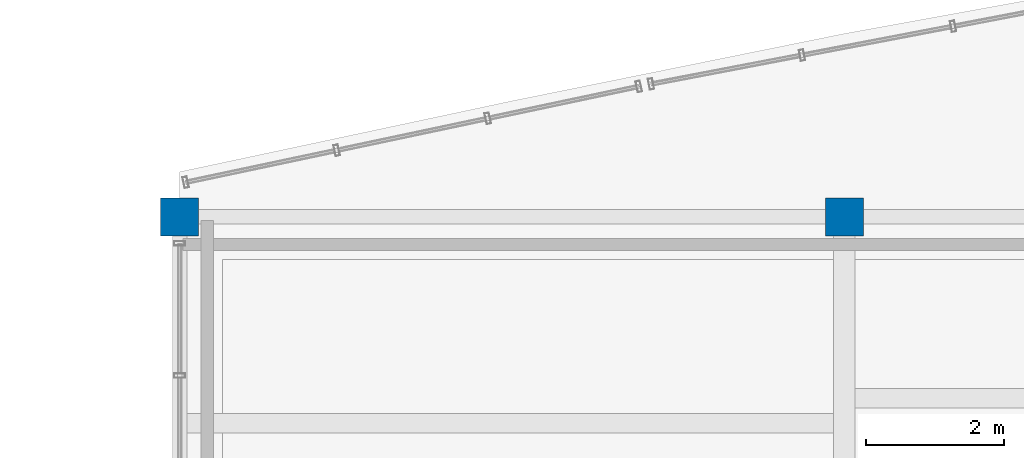
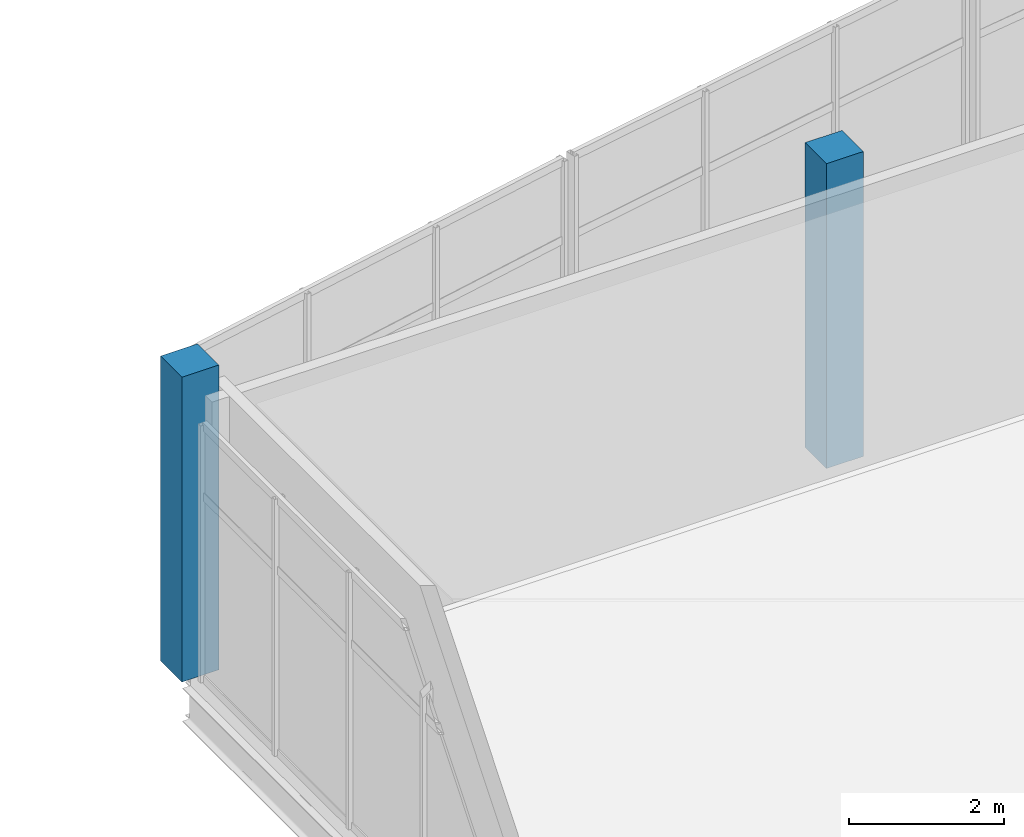
# One storey, part 7 of 157: 2 columns.
"""IFC4 building model written with IfcOpenShell, lengths in metres."""

from ifc_helpers import new_model, si_unit, direction, frame, origin, origin_2d, place, context, subcontext, project, spatial, rectangle, extrude, material, material_profile, profile_set, type_object, element, save


model = new_model("IFC4")

# Units and contexts
model_context = context("Model", 3, precision=1e-05, world=origin(), true_north=direction((0.0, 1.0)))
body_context = subcontext(model_context, "Body", "Model", "MODEL_VIEW")
ifc_project = project(units=[si_unit("LENGTHUNIT", "METRE"), si_unit("AREAUNIT", "SQUARE_METRE"), si_unit("VOLUMEUNIT", "CUBIC_METRE"), si_unit("PLANEANGLEUNIT", "RADIAN"), si_unit("MASSUNIT", "GRAM", prefix="KILO")], contexts=[model_context])

# Site, building, storey
site_placement = place(None, origin())
site = spatial("IfcSite", under=ifc_project, at=site_placement, CompositionType="ELEMENT")
building_placement = place(site_placement, origin())
building = spatial("IfcBuilding", under=site, at=building_placement, Name="Chalmorin Arch Market", CompositionType="ELEMENT")
storey_placement = place(building_placement, frame((0.0, 0.0, 4.800048828125)))
storey = spatial("IfcBuildingStorey", under=building, at=storey_placement, Name="L01", CompositionType="ELEMENT", Elevation=4.800048828125)

# Columns
ifc_material = material(Name="Concrete C40/50", Category="concrete")
ifc_material_profile = material_profile(ifc_material, rectangle(XDim=0.550048828125, YDim=0.550048828125, at=origin_2d()), Name="RC550X550")
ifc_profile_set = profile_set([ifc_material_profile], Name="Concrete C40/50")
column_type = type_object("IfcColumnType", Name="MidConcreteColumn-550x550", PredefinedType="COLUMN", material=ifc_profile_set)
for number, where, z_axis, x_axis, name in (
    (1, (48.0, 118.0, 0.0), (0.0, 0.0, 1.0), (1.0, 0.0, 0.0), "C-RC7-252"),
    (2, (57.60009765625, 118.0, 0.0), (0.0, 0.0, 1.0), (1.0, 0.0, 0.0), "C-RC7-307"),
):
    element("IfcColumn", number, at=place(storey_placement, frame(where, z_axis=z_axis, x_axis=x_axis)), inside=storey, type_object=column_type, Name=name, PredefinedType="COLUMN", context=body_context, shape_type="SweptSolid", body=[
        extrude(rectangle(XDim=0.550048828125, YDim=0.550048828125, at=origin_2d()), origin(), (0.0, 0.0, 1.0), 4.800048828125),
    ])

save(model, "model.ifc")
